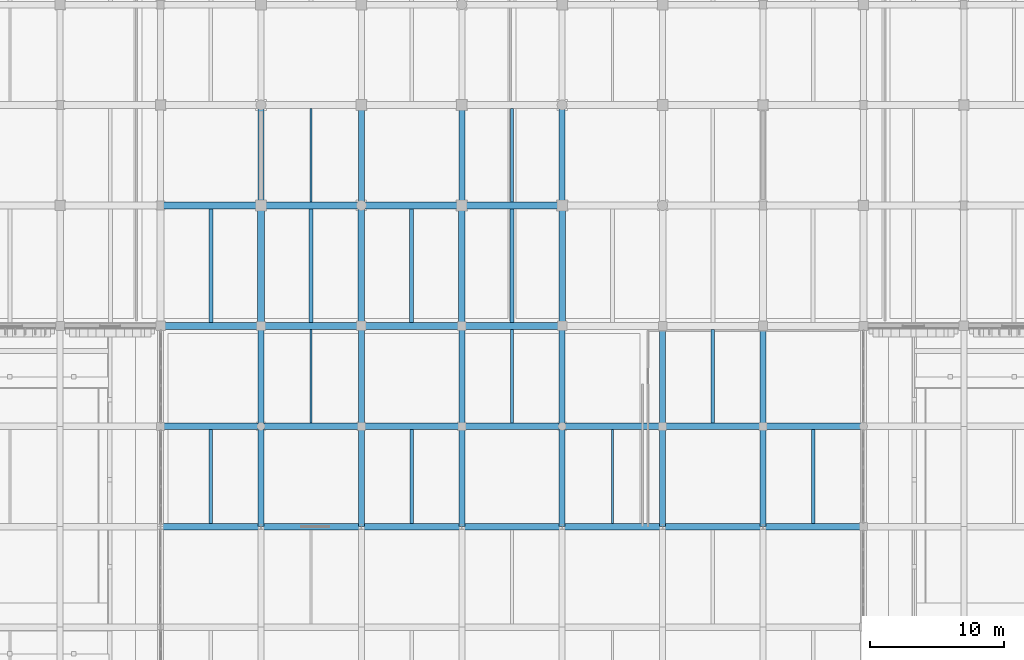
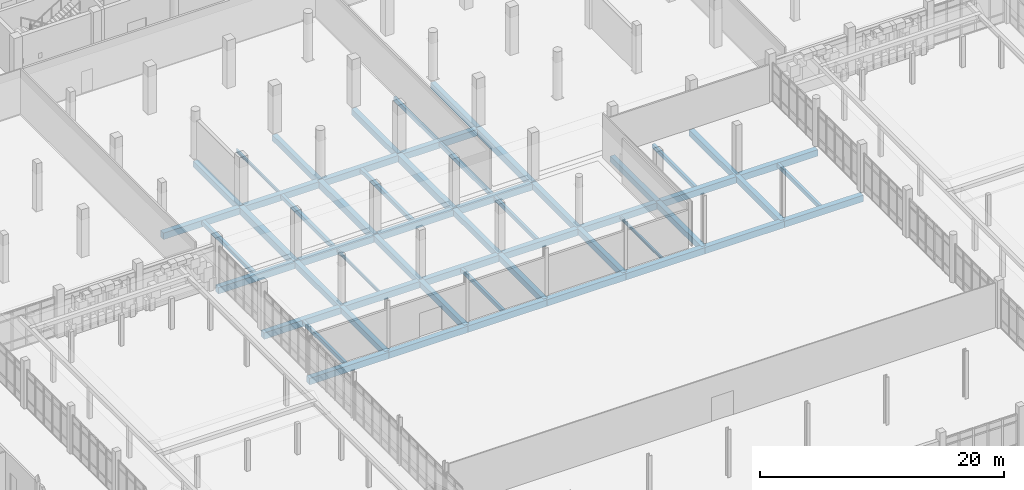
# One storey, part 48 of 125: 55 beams.
"""IFC4 building model written with IfcOpenShell, lengths in metres."""

from ifc_helpers import new_model, si_unit, direction, frame, origin, origin_2d, place, context, subcontext, project, spatial, rectangle, i_section, extrude, material, material_profile, profile_set, type_object, element, save


model = new_model("IFC4")

# Units and contexts
model_context = context("Model", 3, precision=1e-05, world=origin(), true_north=direction((0.0, 1.0)))
body_context = subcontext(model_context, "Body", "Model", "MODEL_VIEW")
ifc_project = project(units=[si_unit("LENGTHUNIT", "METRE"), si_unit("AREAUNIT", "SQUARE_METRE"), si_unit("VOLUMEUNIT", "CUBIC_METRE"), si_unit("PLANEANGLEUNIT", "RADIAN"), si_unit("MASSUNIT", "GRAM", prefix="KILO")], contexts=[model_context])

# Site, building, storey
site_placement = place(None, origin())
site = spatial("IfcSite", under=ifc_project, at=site_placement, CompositionType="ELEMENT")
building_placement = place(site_placement, origin())
building = spatial("IfcBuilding", under=site, at=building_placement, Name="Dalvernix Boulevard General Hospital", CompositionType="ELEMENT")
storey_placement = place(building_placement, origin())
storey = spatial("IfcBuildingStorey", under=building, at=storey_placement, Name="L00", CompositionType="ELEMENT", Elevation=0.0)

# Beams
ifc_material_1 = material(Name="Concrete C35/45", Category="concrete")
ifc_material_profile_1 = material_profile(ifc_material_1, rectangle(XDim=0.5, YDim=0.699951171875, at=origin_2d()), Name="RCB 500x700")
ifc_profile_set_1 = profile_set([ifc_material_profile_1], Name="Concrete C35/45")
beam_type_1 = type_object("IfcBeamType", Name="BM-B-01-I", PredefinedType="BEAM", material=ifc_profile_set_1)
for number, where, z_axis, x_axis, name in (
    (1, (67.5, 76.5, -0.7099609375), (0.0, 1.0, 0.0), (-1.0, 0.0, 0.0), "L00 N-S girder 10:L-M"),
    (2, (75.0, 76.5, -0.7099609375), (0.0, 1.0, 0.0), (-1.0, 0.0, 0.0), "L00 N-S girder 11:L-M"),
    (3, (82.5, 76.5, -0.7099609375), (0.0, 1.0, 0.0), (-1.0, 0.0, 0.0), "L00 N-S girder 12:L-M"),
    (4, (90.0, 76.5, -0.7099609375), (0.0, 1.0, 0.0), (-1.0, 0.0, 0.0), "L00 N-S girder 13:L-M"),
):
    element("IfcBeam", number, at=place(storey_placement, frame(where, z_axis=z_axis, x_axis=x_axis)), inside=storey, type_object=beam_type_1, Name=name, PredefinedType="BEAM", context=body_context, shape_type="SweptSolid", body=[
        extrude(rectangle(XDim=0.5, YDim=0.699951171875, at=origin_2d()), origin(), (0.0, 0.0, 1.0), 9.0),
    ])
ifc_material_profile_2 = material_profile(ifc_material_1, rectangle(XDim=0.5, YDim=0.64990234375, at=origin_2d()), Name="RCB 500x650")
ifc_profile_set_2 = profile_set([ifc_material_profile_2], Name="Concrete C35/45")
beam_type_2 = type_object("IfcBeamType", Name="BM-B-02-I", PredefinedType="BEAM", material=ifc_profile_set_2)
for number, where, z_axis, x_axis, name in (
    (5, (60.0, 61.5, -0.68505859375), (1.0, 0.0, 0.0), (0.0, 1.0, 0.0), "L00 E-W girder J:9-10"),
    (6, (67.5, 61.5, -0.68505859375), (1.0, 0.0, 0.0), (0.0, 1.0, 0.0), "L00 E-W girder J:10-11"),
    (7, (75.0, 61.5, -0.68505859375), (1.0, 0.0, 0.0), (0.0, 1.0, 0.0), "L00 E-W girder J:11-12"),
    (8, (82.5, 61.5, -0.68505859375), (1.0, 0.0, 0.0), (0.0, 1.0, 0.0), "L00 E-W girder J:12-13"),
    (9, (90.0, 61.5, -0.68505859375), (1.0, 0.0, 0.0), (0.0, 1.0, 0.0), "L00 E-W girder J:13-14"),
    (10, (97.5, 61.5, -0.68505859375), (1.0, 0.0, 0.0), (0.0, 1.0, 0.0), "L00 E-W girder J:14-15"),
    (11, (105.0, 61.5, -0.68505859375), (1.0, 0.0, 0.0), (0.0, 1.0, 0.0), "L00 E-W girder J:15-16"),
    (12, (60.0, 69.0, -0.68505859375), (1.0, 0.0, 0.0), (0.0, 1.0, 0.0), "L00 E-W girder K:9-10"),
    (13, (67.5, 69.0, -0.68505859375), (1.0, 0.0, 0.0), (0.0, 1.0, 0.0), "L00 E-W girder K:10-11"),
    (14, (75.0, 69.0, -0.68505859375), (1.0, 0.0, 0.0), (0.0, 1.0, 0.0), "L00 E-W girder K:11-12"),
    (15, (82.5, 69.0, -0.68505859375), (1.0, 0.0, 0.0), (0.0, 1.0, 0.0), "L00 E-W girder K:12-13"),
    (16, (90.0, 69.0, -0.68505859375), (1.0, 0.0, 0.0), (0.0, 1.0, 0.0), "L00 E-W girder K:13-14"),
    (17, (97.5, 69.0, -0.68505859375), (1.0, 0.0, 0.0), (0.0, 1.0, 0.0), "L00 E-W girder K:14-15"),
    (18, (105.0, 69.0, -0.68505859375), (1.0, 0.0, 0.0), (0.0, 1.0, 0.0), "L00 E-W girder K:15-16"),
    (19, (60.0, 76.5, -0.68505859375), (1.0, 0.0, 0.0), (0.0, 1.0, 0.0), "L00 E-W girder L:9-10"),
    (20, (67.5, 76.5, -0.68505859375), (1.0, 0.0, 0.0), (0.0, 1.0, 0.0), "L00 E-W girder L:10-11"),
    (21, (75.0, 76.5, -0.68505859375), (1.0, 0.0, 0.0), (0.0, 1.0, 0.0), "L00 E-W girder L:11-12"),
    (22, (82.5, 76.5, -0.68505859375), (1.0, 0.0, 0.0), (0.0, 1.0, 0.0), "L00 E-W girder L:12-13"),
    (23, (60.0, 85.5, -0.68505859375), (1.0, 0.0, 0.0), (0.0, 1.0, 0.0), "L00 E-W girder M:9-10"),
    (24, (67.5, 85.5, -0.68505859375), (1.0, 0.0, 0.0), (0.0, 1.0, 0.0), "L00 E-W girder M:10-11"),
    (25, (75.0, 85.5, -0.68505859375), (1.0, 0.0, 0.0), (0.0, 1.0, 0.0), "L00 E-W girder M:11-12"),
    (26, (82.5, 85.5, -0.68505859375), (1.0, 0.0, 0.0), (0.0, 1.0, 0.0), "L00 E-W girder M:12-13"),
):
    element("IfcBeam", number, at=place(storey_placement, frame(where, z_axis=z_axis, x_axis=x_axis)), inside=storey, type_object=beam_type_2, Name=name, PredefinedType="BEAM", context=body_context, shape_type="SweptSolid", body=[
        extrude(rectangle(XDim=0.5, YDim=0.64990234375, at=origin_2d()), origin(), (0.0, 0.0, 1.0), 7.5),
    ])
ifc_material_profile_3 = material_profile(ifc_material_1, rectangle(XDim=0.449951171875, YDim=0.60009765625, at=origin_2d()), Name="RCB 450x600")
ifc_profile_set_3 = profile_set([ifc_material_profile_3], Name="Concrete C35/45")
beam_type_3 = type_object("IfcBeamType", Name="BM-B-04-I", PredefinedType="BEAM", material=ifc_profile_set_3)
for number, where, z_axis, x_axis, name in (
    (27, (67.5, 61.5, -0.659912109375), (0.0, 1.0, 0.0), (-1.0, 0.0, 0.0), "L00 N-S girder 10:J-K"),
    (28, (67.5, 69.0, -0.659912109375), (0.0, 1.0, 0.0), (-1.0, 0.0, 0.0), "L00 N-S girder 10:K-L"),
    (29, (67.5, 85.5, -0.659912109375), (0.0, 1.0, 0.0), (-1.0, 0.0, 0.0), "L00 N-S girder 10:M-N"),
    (30, (75.0, 61.5, -0.659912109375), (0.0, 1.0, 0.0), (-1.0, 0.0, 0.0), "L00 N-S girder 11:J-K"),
    (31, (75.0, 69.0, -0.659912109375), (0.0, 1.0, 0.0), (-1.0, 0.0, 0.0), "L00 N-S girder 11:K-L"),
    (32, (75.0, 85.5, -0.659912109375), (0.0, 1.0, 0.0), (-1.0, 0.0, 0.0), "L00 N-S girder 11:M-N"),
    (33, (82.5, 61.5, -0.659912109375), (0.0, 1.0, 0.0), (-1.0, 0.0, 0.0), "L00 N-S girder 12:J-K"),
    (34, (82.5, 69.0, -0.659912109375), (0.0, 1.0, 0.0), (-1.0, 0.0, 0.0), "L00 N-S girder 12:K-L"),
    (35, (82.5, 85.5, -0.659912109375), (0.0, 1.0, 0.0), (-1.0, 0.0, 0.0), "L00 N-S girder 12:M-N"),
    (36, (90.0, 61.5, -0.659912109375), (0.0, 1.0, 0.0), (-1.0, 0.0, 0.0), "L00 N-S girder 13:J-K"),
    (37, (90.0, 69.0, -0.659912109375), (0.0, 1.0, 0.0), (-1.0, 0.0, 0.0), "L00 N-S girder 13:K-L"),
    (38, (90.0, 85.5, -0.659912109375), (0.0, 1.0, 0.0), (-1.0, 0.0, 0.0), "L00 N-S girder 13:M-N"),
    (39, (97.5, 61.5, -0.659912109375), (0.0, 1.0, 0.0), (-1.0, 0.0, 0.0), "L00 N-S girder 14:J-K"),
    (40, (97.5, 69.0, -0.659912109375), (0.0, 1.0, 0.0), (-1.0, 0.0, 0.0), "L00 N-S girder 14:K-L"),
    (41, (105.0, 61.5, -0.659912109375), (0.0, 1.0, 0.0), (-1.0, 0.0, 0.0), "L00 N-S girder 15:J-K"),
    (42, (105.0, 69.0, -0.659912109375), (0.0, 1.0, 0.0), (-1.0, 0.0, 0.0), "L00 N-S girder 15:K-L"),
):
    element("IfcBeam", number, at=place(storey_placement, frame(where, z_axis=z_axis, x_axis=x_axis)), inside=storey, type_object=beam_type_3, Name=name, PredefinedType="BEAM", context=body_context, shape_type="SweptSolid", body=[
        extrude(rectangle(XDim=0.449951171875, YDim=0.60009765625, at=origin_2d()), origin(), (0.0, 0.0, 1.0), 7.5),
    ])
ifc_material_profile_4 = material_profile(ifc_material_1, rectangle(XDim=0.300048828125, YDim=0.39990234375, at=origin_2d()), Name="RCB 300x400")
ifc_profile_set_4 = profile_set([ifc_material_profile_4], Name="Concrete C35/45")
beam_type_4 = type_object("IfcBeamType", Name="BM-JB-01", PredefinedType="JOIST", material=ifc_profile_set_4)
for number, where, z_axis, x_axis, name in (
    (43, (63.75, 76.75, -0.56005859375), (0.0, 1.0, 0.0), (-1.0, 0.0, 0.0), "L00 secondary floor beam 9-L"),
    (44, (71.25, 76.75, -0.56005859375), (0.0, 1.0, 0.0), (-1.0, 0.0, 0.0), "L00 secondary floor beam 10-L"),
    (45, (78.75, 76.75, -0.56005859375), (0.0, 1.0, 0.0), (-1.0, 0.0, 0.0), "L00 secondary floor beam 11-L"),
    (46, (86.25, 76.75, -0.56005859375), (0.0, 1.0, 0.0), (-1.0, 0.0, 0.0), "L00 secondary floor beam 12-L"),
):
    element("IfcBeam", number, at=place(storey_placement, frame(where, z_axis=z_axis, x_axis=x_axis)), inside=storey, type_object=beam_type_4, Name=name, PredefinedType="JOIST", context=body_context, shape_type="SweptSolid", body=[
        extrude(rectangle(XDim=0.300048828125, YDim=0.39990234375, at=origin_2d()), origin(), (0.0, 0.0, 1.0), 8.5),
    ])
ifc_material_profile_5 = material_profile(ifc_material_1, rectangle(XDim=0.25, YDim=0.39990234375, at=origin_2d()), Name="RCB 250x400")
ifc_profile_set_5 = profile_set([ifc_material_profile_5], Name="Concrete C35/45")
beam_type_5 = type_object("IfcBeamType", Name="BM-JB-02", PredefinedType="JOIST", material=ifc_profile_set_5)
for number, where, z_axis, x_axis, name in (
    (47, (63.75, 61.75, -0.56005859375), (0.0, 1.0, 0.0), (-1.0, 0.0, 0.0), "L00 secondary floor beam 9-J"),
    (48, (78.75, 61.75, -0.56005859375), (0.0, 1.0, 0.0), (-1.0, 0.0, 0.0), "L00 secondary floor beam 11-J"),
    (49, (86.25, 69.25, -0.56005859375), (0.0, 1.0, 0.0), (-1.0, 0.0, 0.0), "L00 secondary floor beam 12-K"),
    (50, (86.25, 85.75, -0.56005859375), (0.0, 1.0, 0.0), (-1.0, 0.0, 0.0), "L00 secondary floor beam 12-M"),
    (51, (101.25, 69.25, -0.56005859375), (0.0, 1.0, 0.0), (-1.0, 0.0, 0.0), "L00 secondary floor beam 14-K"),
    (52, (108.75, 61.75, -0.56005859375), (0.0, 1.0, 0.0), (-1.0, 0.0, 0.0), "L00 secondary floor beam 15-J"),
):
    element("IfcBeam", number, at=place(storey_placement, frame(where, z_axis=z_axis, x_axis=x_axis)), inside=storey, type_object=beam_type_5, Name=name, PredefinedType="JOIST", context=body_context, shape_type="SweptSolid", body=[
        extrude(rectangle(XDim=0.25, YDim=0.39990234375, at=origin_2d()), origin(), (0.0, 0.0, 1.0), 7.0),
    ])
ifc_material_2 = material(Name="Steel S355", Category="steel")
ifc_material_profile_6 = material_profile(ifc_material_2, i_section(OverallWidth=0.14990234375, OverallDepth=0.300048828125, WebThickness=0.007080078125, FlangeThickness=0.0107421875, FilletRadius=0.014892578125, at=origin_2d()), Name="IPE 300")
ifc_profile_set_6 = profile_set([ifc_material_profile_6], Name="Steel S355")
beam_type_6 = type_object("IfcBeamType", Name="BM-JB-03", PredefinedType="JOIST", material=ifc_profile_set_6)
for number, where, z_axis, x_axis, name in (
    (53, (71.25, 69.25, -0.510009765625), (0.0, 1.0, 0.0), (-1.0, 0.0, 0.0), "L00 secondary floor beam 10-K"),
    (54, (71.25, 85.75, -0.510009765625), (0.0, 1.0, 0.0), (-1.0, 0.0, 0.0), "L00 secondary floor beam 10-M"),
    (55, (93.75, 61.75, -0.510009765625), (0.0, 1.0, 0.0), (-1.0, 0.0, 0.0), "L00 secondary floor beam 13-J"),
):
    element("IfcBeam", number, at=place(storey_placement, frame(where, z_axis=z_axis, x_axis=x_axis)), inside=storey, type_object=beam_type_6, Name=name, PredefinedType="JOIST", context=body_context, shape_type="SweptSolid", body=[
        extrude(i_section(OverallWidth=0.14990234375, OverallDepth=0.300048828125, WebThickness=0.007080078125, FlangeThickness=0.0107421875, FilletRadius=0.014892578125, at=origin_2d()), origin(), (0.0, 0.0, 1.0), 7.0),
    ])

save(model, "model.ifc")
